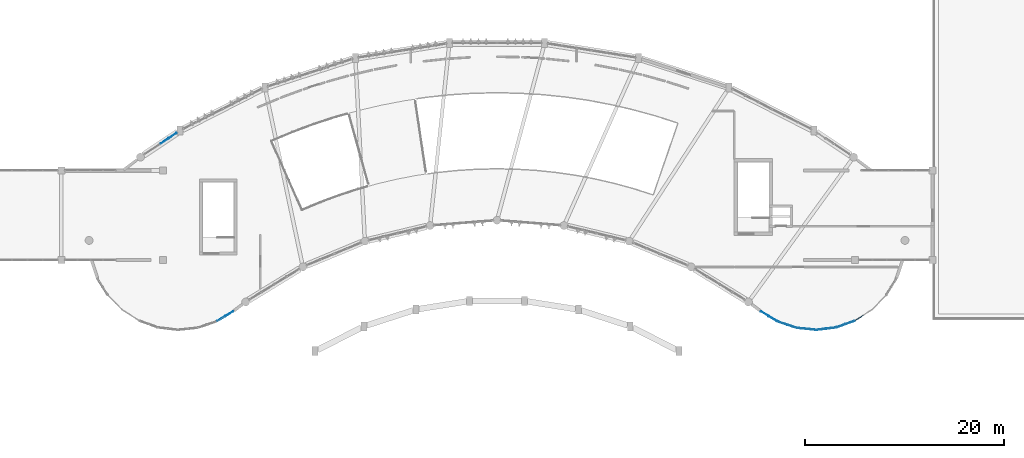
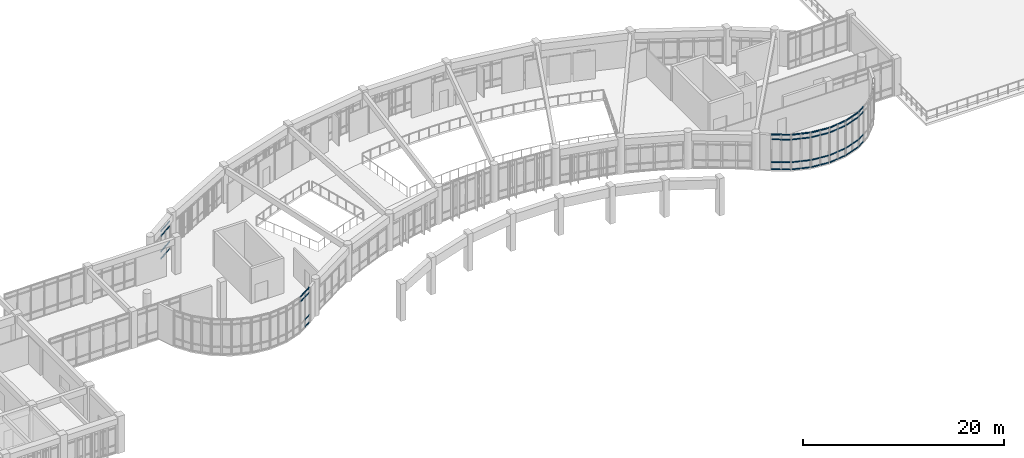
# One storey, part 29 of 54: 58 members, 8 elements without a shape of their own.
"""IFC4 building model written with IfcOpenShell, lengths in metres."""

from ifc_helpers import new_model, si_unit, direction, frame, origin, origin_2d, place, context, subcontext, project, spatial, rectangle, extrude, material, layer, layer_set, material_profile, profile_set, type_object, element, aggregate, save


model = new_model("IFC4")

# Units and contexts
model_context = context("Model", 3, precision=1e-05, world=origin(), true_north=direction((0.0, 1.0)))
body_context = subcontext(model_context, "Body", "Model", "MODEL_VIEW")
ifc_project = project(units=[si_unit("LENGTHUNIT", "METRE"), si_unit("AREAUNIT", "SQUARE_METRE"), si_unit("VOLUMEUNIT", "CUBIC_METRE"), si_unit("PLANEANGLEUNIT", "RADIAN"), si_unit("MASSUNIT", "GRAM", prefix="KILO")], contexts=[model_context])

# Site, building, storey
site_placement = place(None, origin())
site = spatial("IfcSite", under=ifc_project, at=site_placement, CompositionType="ELEMENT")
building_placement = place(site_placement, origin())
building = spatial("IfcBuilding", under=site, at=building_placement, Name="Miralva Faculty of Natural Sciences", CompositionType="ELEMENT")
storey_placement = place(building_placement, frame((0.0, 0.0, 19.5)))
storey = spatial("IfcBuildingStorey", under=building, at=storey_placement, Name="L04", CompositionType="ELEMENT", Elevation=19.5)

# Curtain wall, members
ifc_material_1 = material(Name="Laminated solar-control glass", Category="glass")
ifc_layer_1 = layer(ifc_material_1, 0.179931640625, Name="CW-ARC-L03")
ifc_layer_set_1 = layer_set([ifc_layer_1], Name="Laminated solar-control glass")
curtain_wall_type_1 = type_object("IfcCurtainWallType", Name="CW-ARC-L03", PredefinedType="USERDEFINED", material=ifc_layer_set_1)
curtain_wall_1_placement = place(storey_placement, origin())
curtain_wall_1 = element("IfcCurtainWall", 1, at=curtain_wall_1_placement, inside=storey, type_object=curtain_wall_type_1, Name="Curtain wall CW-03 L04-174", ObjectType="UNITISED CURTAIN WALL", PredefinedType="USERDEFINED")
ifc_material_2 = material(Name="Anodised aluminium", Category="aluminium")
ifc_material_profile = material_profile(ifc_material_2, rectangle(XDim=0.06005859375, YDim=0.1201171875, at=origin_2d()), Name="TRANSOM 60x120")
ifc_profile_set = profile_set([ifc_material_profile], Name="Anodised aluminium")
member_type = type_object("IfcMemberType", Name="CW-T02", PredefinedType="USERDEFINED", material=ifc_profile_set)
member_1_placement = place(storey_placement, frame((56.18603515625, 29.7138671875, 0.030029296875), z_axis=(0.831565381614, 0.555426877366, 0.0), x_axis=(-0.555426877366, 0.831565381614, 0.0)))
member_1 = element("IfcMember", 2, at=member_1_placement, type_object=member_type, Name="CW-03 transom 1.1", ObjectType="TRANSOM", PredefinedType="USERDEFINED", context=body_context, shape_type="SweptSolid", body=[
    extrude(rectangle(XDim=0.06005859375, YDim=0.1201171875, at=origin_2d()), origin(), (0.0, 0.0, 1.0), 0.93017578125),
])
member_2_placement = place(storey_placement, frame((56.18603515625, 29.7138671875, 0.89990234375), z_axis=(0.831565381614, 0.555426877366, 0.0), x_axis=(-0.555426877366, 0.831565381614, 0.0)))
member_2 = element("IfcMember", 3, at=member_2_placement, type_object=member_type, Name="CW-03 transom 1.2", ObjectType="TRANSOM", PredefinedType="USERDEFINED", context=body_context, shape_type="SweptSolid", body=[
    extrude(rectangle(XDim=0.06005859375, YDim=0.1201171875, at=origin_2d()), origin(), (0.0, 0.0, 1.0), 0.93017578125),
])
member_3_placement = place(storey_placement, frame((56.18603515625, 29.7138671875, 2.804931640625), z_axis=(0.831565381614, 0.555426877366, 0.0), x_axis=(-0.555426877366, 0.831565381614, 0.0)))
member_3 = element("IfcMember", 4, at=member_3_placement, type_object=member_type, Name="CW-03 transom 1.3", ObjectType="TRANSOM", PredefinedType="USERDEFINED", context=body_context, shape_type="SweptSolid", body=[
    extrude(rectangle(XDim=0.06005859375, YDim=0.1201171875, at=origin_2d()), origin(), (0.0, 0.0, 1.0), 0.93017578125),
])
member_4_placement = place(storey_placement, frame((56.18603515625, 29.7138671875, 3.375), z_axis=(0.831565381614, 0.555426877366, 0.0), x_axis=(-0.555426877366, 0.831565381614, 0.0)))
member_4 = element("IfcMember", 5, at=member_4_placement, type_object=member_type, Name="CW-03 transom 1.4", ObjectType="TRANSOM", PredefinedType="USERDEFINED", context=body_context, shape_type="SweptSolid", body=[
    extrude(rectangle(XDim=0.06005859375, YDim=0.1201171875, at=origin_2d()), origin(), (0.0, 0.0, 1.0), 0.93017578125),
])
member_5_placement = place(storey_placement, frame((57.013427734375, 30.2666015625, 0.030029296875), z_axis=(0.831484377474, 0.555548134744, 0.0), x_axis=(-0.555548134744, 0.831484377474, 0.0)))
member_5 = element("IfcMember", 6, at=member_5_placement, type_object=member_type, Name="CW-03 transom 2.1", ObjectType="TRANSOM", PredefinedType="USERDEFINED", context=body_context, shape_type="SweptSolid", body=[
    extrude(rectangle(XDim=0.06005859375, YDim=0.1201171875, at=origin_2d()), origin(), (0.0, 0.0, 1.0), 0.929931640625),
])
member_6_placement = place(storey_placement, frame((57.013427734375, 30.2666015625, 0.89990234375), z_axis=(0.831484377474, 0.555548134744, 0.0), x_axis=(-0.555548134744, 0.831484377474, 0.0)))
member_6 = element("IfcMember", 7, at=member_6_placement, type_object=member_type, Name="CW-03 transom 2.2", ObjectType="TRANSOM", PredefinedType="USERDEFINED", context=body_context, shape_type="SweptSolid", body=[
    extrude(rectangle(XDim=0.06005859375, YDim=0.1201171875, at=origin_2d()), origin(), (0.0, 0.0, 1.0), 0.929931640625),
])
member_7_placement = place(storey_placement, frame((57.013427734375, 30.2666015625, 2.804931640625), z_axis=(0.831484377474, 0.555548134744, 0.0), x_axis=(-0.555548134744, 0.831484377474, 0.0)))
member_7 = element("IfcMember", 8, at=member_7_placement, type_object=member_type, Name="CW-03 transom 2.3", ObjectType="TRANSOM", PredefinedType="USERDEFINED", context=body_context, shape_type="SweptSolid", body=[
    extrude(rectangle(XDim=0.06005859375, YDim=0.1201171875, at=origin_2d()), origin(), (0.0, 0.0, 1.0), 0.929931640625),
])
member_8_placement = place(storey_placement, frame((57.013427734375, 30.2666015625, 3.375), z_axis=(0.831484377474, 0.555548134744, 0.0), x_axis=(-0.555548134744, 0.831484377474, 0.0)))
member_8 = element("IfcMember", 9, at=member_8_placement, type_object=member_type, Name="CW-03 transom 2.4", ObjectType="TRANSOM", PredefinedType="USERDEFINED", context=body_context, shape_type="SweptSolid", body=[
    extrude(rectangle(XDim=0.06005859375, YDim=0.1201171875, at=origin_2d()), origin(), (0.0, 0.0, 1.0), 0.929931640625),
])
aggregate(curtain_wall_1, [member_1, member_2, member_3, member_4, member_5, member_6, member_7, member_8])

ifc_layer_2 = layer(ifc_material_1, 0.179931640625, Name="CW-RND-L03")
ifc_layer_set_2 = layer_set([ifc_layer_2], Name="Laminated solar-control glass")
curtain_wall_type_2 = type_object("IfcCurtainWallType", Name="CW-RND-L03", PredefinedType="USERDEFINED", material=ifc_layer_set_2)
curtain_wall_2_placement = place(storey_placement, origin())
curtain_wall_2 = element("IfcCurtainWall", 10, at=curtain_wall_2_placement, inside=storey, type_object=curtain_wall_type_2, Name="Curtain wall CW-06 L04-189", ObjectType="UNITISED CURTAIN WALL", PredefinedType="USERDEFINED")
member_9_placement = place(storey_placement, frame((61.864990234375, 11.86328125, 3.64990234375), z_axis=(0.852016327326, 0.52351521274, 0.0), x_axis=(-0.52351521274, 0.852016327326, 0.0)))
member_9 = element("IfcMember", 11, at=member_9_placement, type_object=member_type, Name="CW-06 transom 1.3", ObjectType="TRANSOM", PredefinedType="USERDEFINED", context=body_context, shape_type="SweptSolid", body=[
    extrude(rectangle(XDim=0.06005859375, YDim=0.1201171875, at=origin_2d()), origin(), (0.0, 0.0, 1.0), 0.91259765625),
])
member_10_placement = place(storey_placement, frame((61.864990234375, 11.86328125, 4.219970703125), z_axis=(0.852016327326, 0.52351521274, 0.0), x_axis=(-0.52351521274, 0.852016327326, 0.0)))
member_10 = element("IfcMember", 12, at=member_10_placement, type_object=member_type, Name="CW-06 transom 1.4", ObjectType="TRANSOM", PredefinedType="USERDEFINED", context=body_context, shape_type="SweptSolid", body=[
    extrude(rectangle(XDim=0.06005859375, YDim=0.1201171875, at=origin_2d()), origin(), (0.0, 0.0, 1.0), 0.91259765625),
])
member_11_placement = place(storey_placement, frame((62.697998046875, 12.375244140625, 0.030029296875), z_axis=(0.852016327326, 0.52351521274, 0.0), x_axis=(-0.52351521274, 0.852016327326, 0.0)))
member_11 = element("IfcMember", 13, at=member_11_placement, type_object=member_type, Name="CW-06 transom 2.1", ObjectType="TRANSOM", PredefinedType="USERDEFINED", context=body_context, shape_type="SweptSolid", body=[
    extrude(rectangle(XDim=0.06005859375, YDim=0.1201171875, at=origin_2d()), origin(), (0.0, 0.0, 1.0), 0.91259765625),
])
member_12_placement = place(storey_placement, frame((62.697998046875, 12.375244140625, 0.89990234375), z_axis=(0.852016327326, 0.52351521274, 0.0), x_axis=(-0.52351521274, 0.852016327326, 0.0)))
member_12 = element("IfcMember", 14, at=member_12_placement, type_object=member_type, Name="CW-06 transom 2.2", ObjectType="TRANSOM", PredefinedType="USERDEFINED", context=body_context, shape_type="SweptSolid", body=[
    extrude(rectangle(XDim=0.06005859375, YDim=0.1201171875, at=origin_2d()), origin(), (0.0, 0.0, 1.0), 0.91259765625),
])
member_13_placement = place(storey_placement, frame((62.697998046875, 12.375244140625, 3.64990234375), z_axis=(0.852016327326, 0.52351521274, 0.0), x_axis=(-0.52351521274, 0.852016327326, 0.0)))
member_13 = element("IfcMember", 15, at=member_13_placement, type_object=member_type, Name="CW-06 transom 2.3", ObjectType="TRANSOM", PredefinedType="USERDEFINED", context=body_context, shape_type="SweptSolid", body=[
    extrude(rectangle(XDim=0.06005859375, YDim=0.1201171875, at=origin_2d()), origin(), (0.0, 0.0, 1.0), 0.91259765625),
])
member_14_placement = place(storey_placement, frame((62.697998046875, 12.375244140625, 4.219970703125), z_axis=(0.852016327326, 0.52351521274, 0.0), x_axis=(-0.52351521274, 0.852016327326, 0.0)))
member_14 = element("IfcMember", 16, at=member_14_placement, type_object=member_type, Name="CW-06 transom 2.4", ObjectType="TRANSOM", PredefinedType="USERDEFINED", context=body_context, shape_type="SweptSolid", body=[
    extrude(rectangle(XDim=0.06005859375, YDim=0.1201171875, at=origin_2d()), origin(), (0.0, 0.0, 1.0), 0.91259765625),
])
aggregate(curtain_wall_2, [member_9, member_10, member_11, member_12, member_13, member_14])

curtain_wall_3_placement = place(storey_placement, origin())
curtain_wall_3 = element("IfcCurtainWall", 17, at=curtain_wall_3_placement, inside=storey, type_object=curtain_wall_type_2, Name="Curtain wall CW-06 L04-199", ObjectType="UNITISED CURTAIN WALL", PredefinedType="USERDEFINED")
member_15_placement = place(storey_placement, frame((126.0546875, 11.9423828125, 0.030029296875), z_axis=(0.841395718797, 0.540419507781, 0.0), x_axis=(-0.540419507781, 0.841395718797, 0.0)))
member_15 = element("IfcMember", 18, at=member_15_placement, type_object=member_type, Name="CW-06 transom 1.1", ObjectType="TRANSOM", PredefinedType="USERDEFINED", context=body_context, shape_type="SweptSolid", body=[
    extrude(rectangle(XDim=0.06005859375, YDim=0.1201171875, at=origin_2d()), origin(), (0.0, 0.0, 1.0), 0.91259765625),
])
member_16_placement = place(storey_placement, frame((126.0546875, 11.9423828125, 0.89990234375), z_axis=(0.841395718797, 0.540419507781, 0.0), x_axis=(-0.540419507781, 0.841395718797, 0.0)))
member_16 = element("IfcMember", 19, at=member_16_placement, type_object=member_type, Name="CW-06 transom 1.2", ObjectType="TRANSOM", PredefinedType="USERDEFINED", context=body_context, shape_type="SweptSolid", body=[
    extrude(rectangle(XDim=0.06005859375, YDim=0.1201171875, at=origin_2d()), origin(), (0.0, 0.0, 1.0), 0.91259765625),
])
member_17_placement = place(storey_placement, frame((126.0546875, 11.9423828125, 3.64990234375), z_axis=(0.841395718797, 0.540419507781, 0.0), x_axis=(-0.540419507781, 0.841395718797, 0.0)))
member_17 = element("IfcMember", 20, at=member_17_placement, type_object=member_type, Name="CW-06 transom 1.3", ObjectType="TRANSOM", PredefinedType="USERDEFINED", context=body_context, shape_type="SweptSolid", body=[
    extrude(rectangle(XDim=0.06005859375, YDim=0.1201171875, at=origin_2d()), origin(), (0.0, 0.0, 1.0), 0.91259765625),
])
member_18_placement = place(storey_placement, frame((126.0546875, 11.9423828125, 4.219970703125), z_axis=(0.841395718797, 0.540419507781, 0.0), x_axis=(-0.540419507781, 0.841395718797, 0.0)))
member_18 = element("IfcMember", 21, at=member_18_placement, type_object=member_type, Name="CW-06 transom 1.4", ObjectType="TRANSOM", PredefinedType="USERDEFINED", context=body_context, shape_type="SweptSolid", body=[
    extrude(rectangle(XDim=0.06005859375, YDim=0.1201171875, at=origin_2d()), origin(), (0.0, 0.0, 1.0), 0.91259765625),
])
aggregate(curtain_wall_3, [member_15, member_16, member_17, member_18])

curtain_wall_4_placement = place(storey_placement, origin())
curtain_wall_4 = element("IfcCurtainWall", 22, at=curtain_wall_4_placement, inside=storey, type_object=curtain_wall_type_2, Name="Curtain wall CW-06 L04-200", ObjectType="UNITISED CURTAIN WALL", PredefinedType="USERDEFINED")
member_19_placement = place(storey_placement, frame((124.16552734375, 11.24462890625, 0.030029296875), z_axis=(0.940525411881, 0.339723342744, 0.0), x_axis=(-0.339723342744, 0.940525411881, 0.0)))
member_19 = element("IfcMember", 23, at=member_19_placement, type_object=member_type, Name="CW-06 transom 1.1", ObjectType="TRANSOM", PredefinedType="USERDEFINED", context=body_context, shape_type="SweptSolid", body=[
    extrude(rectangle(XDim=0.06005859375, YDim=0.1201171875, at=origin_2d()), origin(), (0.0, 0.0, 1.0), 0.91259765625),
])
member_20_placement = place(storey_placement, frame((124.16552734375, 11.24462890625, 0.89990234375), z_axis=(0.940525411881, 0.339723342744, 0.0), x_axis=(-0.339723342744, 0.940525411881, 0.0)))
member_20 = element("IfcMember", 24, at=member_20_placement, type_object=member_type, Name="CW-06 transom 1.2", ObjectType="TRANSOM", PredefinedType="USERDEFINED", context=body_context, shape_type="SweptSolid", body=[
    extrude(rectangle(XDim=0.06005859375, YDim=0.1201171875, at=origin_2d()), origin(), (0.0, 0.0, 1.0), 0.91259765625),
])
member_21_placement = place(storey_placement, frame((124.16552734375, 11.24462890625, 3.64990234375), z_axis=(0.940525411881, 0.339723342744, 0.0), x_axis=(-0.339723342744, 0.940525411881, 0.0)))
member_21 = element("IfcMember", 25, at=member_21_placement, type_object=member_type, Name="CW-06 transom 1.3", ObjectType="TRANSOM", PredefinedType="USERDEFINED", context=body_context, shape_type="SweptSolid", body=[
    extrude(rectangle(XDim=0.06005859375, YDim=0.1201171875, at=origin_2d()), origin(), (0.0, 0.0, 1.0), 0.91259765625),
])
member_22_placement = place(storey_placement, frame((124.16552734375, 11.24462890625, 4.219970703125), z_axis=(0.940525411881, 0.339723342744, 0.0), x_axis=(-0.339723342744, 0.940525411881, 0.0)))
member_22 = element("IfcMember", 26, at=member_22_placement, type_object=member_type, Name="CW-06 transom 1.4", ObjectType="TRANSOM", PredefinedType="USERDEFINED", context=body_context, shape_type="SweptSolid", body=[
    extrude(rectangle(XDim=0.06005859375, YDim=0.1201171875, at=origin_2d()), origin(), (0.0, 0.0, 1.0), 0.91259765625),
])
member_23_placement = place(storey_placement, frame((125.085205078125, 11.576904296875, 0.030029296875), z_axis=(0.94061086064, 0.339486684344, 0.0), x_axis=(-0.339486684344, 0.94061086064, 0.0)))
member_23 = element("IfcMember", 27, at=member_23_placement, type_object=member_type, Name="CW-06 transom 2.1", ObjectType="TRANSOM", PredefinedType="USERDEFINED", context=body_context, shape_type="SweptSolid", body=[
    extrude(rectangle(XDim=0.06005859375, YDim=0.1201171875, at=origin_2d()), origin(), (0.0, 0.0, 1.0), 0.91259765625),
])
member_24_placement = place(storey_placement, frame((125.085205078125, 11.576904296875, 0.89990234375), z_axis=(0.94061086064, 0.339486684344, 0.0), x_axis=(-0.339486684344, 0.94061086064, 0.0)))
member_24 = element("IfcMember", 28, at=member_24_placement, type_object=member_type, Name="CW-06 transom 2.2", ObjectType="TRANSOM", PredefinedType="USERDEFINED", context=body_context, shape_type="SweptSolid", body=[
    extrude(rectangle(XDim=0.06005859375, YDim=0.1201171875, at=origin_2d()), origin(), (0.0, 0.0, 1.0), 0.91259765625),
])
member_25_placement = place(storey_placement, frame((125.085205078125, 11.576904296875, 3.64990234375), z_axis=(0.94061086064, 0.339486684344, 0.0), x_axis=(-0.339486684344, 0.94061086064, 0.0)))
member_25 = element("IfcMember", 29, at=member_25_placement, type_object=member_type, Name="CW-06 transom 2.3", ObjectType="TRANSOM", PredefinedType="USERDEFINED", context=body_context, shape_type="SweptSolid", body=[
    extrude(rectangle(XDim=0.06005859375, YDim=0.1201171875, at=origin_2d()), origin(), (0.0, 0.0, 1.0), 0.91259765625),
])
member_26_placement = place(storey_placement, frame((125.085205078125, 11.576904296875, 4.219970703125), z_axis=(0.94061086064, 0.339486684344, 0.0), x_axis=(-0.339486684344, 0.94061086064, 0.0)))
member_26 = element("IfcMember", 30, at=member_26_placement, type_object=member_type, Name="CW-06 transom 2.4", ObjectType="TRANSOM", PredefinedType="USERDEFINED", context=body_context, shape_type="SweptSolid", body=[
    extrude(rectangle(XDim=0.06005859375, YDim=0.1201171875, at=origin_2d()), origin(), (0.0, 0.0, 1.0), 0.91259765625),
])
aggregate(curtain_wall_4, [member_19, member_20, member_21, member_22, member_23, member_24, member_25, member_26])

curtain_wall_5_placement = place(storey_placement, origin())
curtain_wall_5 = element("IfcCurtainWall", 31, at=curtain_wall_5_placement, inside=storey, type_object=curtain_wall_type_2, Name="Curtain wall CW-06 L04-201", ObjectType="UNITISED CURTAIN WALL", PredefinedType="USERDEFINED")
member_27_placement = place(storey_placement, frame((122.168701171875, 10.98486328125, 0.030029296875), z_axis=(0.992534937681, 0.121960639068, 0.0), x_axis=(-0.121960639068, 0.992534937681, 0.0)))
member_27 = element("IfcMember", 32, at=member_27_placement, type_object=member_type, Name="CW-06 transom 1.1", ObjectType="TRANSOM", PredefinedType="USERDEFINED", context=body_context, shape_type="SweptSolid", body=[
    extrude(rectangle(XDim=0.06005859375, YDim=0.1201171875, at=origin_2d()), origin(), (0.0, 0.0, 1.0), 0.912841796875),
])
member_28_placement = place(storey_placement, frame((122.168701171875, 10.98486328125, 0.89990234375), z_axis=(0.992534937681, 0.121960639068, 0.0), x_axis=(-0.121960639068, 0.992534937681, 0.0)))
member_28 = element("IfcMember", 33, at=member_28_placement, type_object=member_type, Name="CW-06 transom 1.2", ObjectType="TRANSOM", PredefinedType="USERDEFINED", context=body_context, shape_type="SweptSolid", body=[
    extrude(rectangle(XDim=0.06005859375, YDim=0.1201171875, at=origin_2d()), origin(), (0.0, 0.0, 1.0), 0.912841796875),
])
member_29_placement = place(storey_placement, frame((122.168701171875, 10.98486328125, 3.64990234375), z_axis=(0.992534937681, 0.121960639068, 0.0), x_axis=(-0.121960639068, 0.992534937681, 0.0)))
member_29 = element("IfcMember", 34, at=member_29_placement, type_object=member_type, Name="CW-06 transom 1.3", ObjectType="TRANSOM", PredefinedType="USERDEFINED", context=body_context, shape_type="SweptSolid", body=[
    extrude(rectangle(XDim=0.06005859375, YDim=0.1201171875, at=origin_2d()), origin(), (0.0, 0.0, 1.0), 0.912841796875),
])
member_30_placement = place(storey_placement, frame((122.168701171875, 10.98486328125, 4.219970703125), z_axis=(0.992534937681, 0.121960639068, 0.0), x_axis=(-0.121960639068, 0.992534937681, 0.0)))
member_30 = element("IfcMember", 35, at=member_30_placement, type_object=member_type, Name="CW-06 transom 1.4", ObjectType="TRANSOM", PredefinedType="USERDEFINED", context=body_context, shape_type="SweptSolid", body=[
    extrude(rectangle(XDim=0.06005859375, YDim=0.1201171875, at=origin_2d()), origin(), (0.0, 0.0, 1.0), 0.912841796875),
])
member_31_placement = place(storey_placement, frame((123.13916015625, 11.10400390625, 0.030029296875), z_axis=(0.992530957827, 0.121993023388, 0.0), x_axis=(-0.121993023388, 0.992530957827, 0.0)))
member_31 = element("IfcMember", 36, at=member_31_placement, type_object=member_type, Name="CW-06 transom 2.1", ObjectType="TRANSOM", PredefinedType="USERDEFINED", context=body_context, shape_type="SweptSolid", body=[
    extrude(rectangle(XDim=0.06005859375, YDim=0.1201171875, at=origin_2d()), origin(), (0.0, 0.0, 1.0), 0.91259765625),
])
member_32_placement = place(storey_placement, frame((123.13916015625, 11.10400390625, 0.89990234375), z_axis=(0.992530957827, 0.121993023388, 0.0), x_axis=(-0.121993023388, 0.992530957827, 0.0)))
member_32 = element("IfcMember", 37, at=member_32_placement, type_object=member_type, Name="CW-06 transom 2.2", ObjectType="TRANSOM", PredefinedType="USERDEFINED", context=body_context, shape_type="SweptSolid", body=[
    extrude(rectangle(XDim=0.06005859375, YDim=0.1201171875, at=origin_2d()), origin(), (0.0, 0.0, 1.0), 0.91259765625),
])
member_33_placement = place(storey_placement, frame((123.13916015625, 11.10400390625, 3.64990234375), z_axis=(0.992530957827, 0.121993023388, 0.0), x_axis=(-0.121993023388, 0.992530957827, 0.0)))
member_33 = element("IfcMember", 38, at=member_33_placement, type_object=member_type, Name="CW-06 transom 2.3", ObjectType="TRANSOM", PredefinedType="USERDEFINED", context=body_context, shape_type="SweptSolid", body=[
    extrude(rectangle(XDim=0.06005859375, YDim=0.1201171875, at=origin_2d()), origin(), (0.0, 0.0, 1.0), 0.91259765625),
])
member_34_placement = place(storey_placement, frame((123.13916015625, 11.10400390625, 4.219970703125), z_axis=(0.992530957827, 0.121993023388, 0.0), x_axis=(-0.121993023388, 0.992530957827, 0.0)))
member_34 = element("IfcMember", 39, at=member_34_placement, type_object=member_type, Name="CW-06 transom 2.4", ObjectType="TRANSOM", PredefinedType="USERDEFINED", context=body_context, shape_type="SweptSolid", body=[
    extrude(rectangle(XDim=0.06005859375, YDim=0.1201171875, at=origin_2d()), origin(), (0.0, 0.0, 1.0), 0.91259765625),
])
aggregate(curtain_wall_5, [member_27, member_28, member_29, member_30, member_31, member_32, member_33, member_34])

curtain_wall_6_placement = place(storey_placement, origin())
curtain_wall_6 = element("IfcCurtainWall", 40, at=curtain_wall_6_placement, inside=storey, type_object=curtain_wall_type_2, Name="Curtain wall CW-06 L04-202", ObjectType="UNITISED CURTAIN WALL", PredefinedType="USERDEFINED")
member_35_placement = place(storey_placement, frame((120.1640625, 11.176025390625, 0.030029296875), z_axis=(0.994793266196, -0.101913480619, 0.0), x_axis=(0.101913480619, 0.994793266196, 0.0)))
member_35 = element("IfcMember", 41, at=member_35_placement, type_object=member_type, Name="CW-06 transom 1.1", ObjectType="TRANSOM", PredefinedType="USERDEFINED", context=body_context, shape_type="SweptSolid", body=[
    extrude(rectangle(XDim=0.06005859375, YDim=0.1201171875, at=origin_2d()), origin(), (0.0, 0.0, 1.0), 0.91259765625),
])
member_36_placement = place(storey_placement, frame((120.1640625, 11.176025390625, 0.89990234375), z_axis=(0.994793266196, -0.101913480619, 0.0), x_axis=(0.101913480619, 0.994793266196, 0.0)))
member_36 = element("IfcMember", 42, at=member_36_placement, type_object=member_type, Name="CW-06 transom 1.2", ObjectType="TRANSOM", PredefinedType="USERDEFINED", context=body_context, shape_type="SweptSolid", body=[
    extrude(rectangle(XDim=0.06005859375, YDim=0.1201171875, at=origin_2d()), origin(), (0.0, 0.0, 1.0), 0.91259765625),
])
member_37_placement = place(storey_placement, frame((120.1640625, 11.176025390625, 3.64990234375), z_axis=(0.994793266196, -0.101913480619, 0.0), x_axis=(0.101913480619, 0.994793266196, 0.0)))
member_37 = element("IfcMember", 43, at=member_37_placement, type_object=member_type, Name="CW-06 transom 1.3", ObjectType="TRANSOM", PredefinedType="USERDEFINED", context=body_context, shape_type="SweptSolid", body=[
    extrude(rectangle(XDim=0.06005859375, YDim=0.1201171875, at=origin_2d()), origin(), (0.0, 0.0, 1.0), 0.91259765625),
])
member_38_placement = place(storey_placement, frame((120.1640625, 11.176025390625, 4.219970703125), z_axis=(0.994793266196, -0.101913480619, 0.0), x_axis=(0.101913480619, 0.994793266196, 0.0)))
member_38 = element("IfcMember", 44, at=member_38_placement, type_object=member_type, Name="CW-06 transom 1.4", ObjectType="TRANSOM", PredefinedType="USERDEFINED", context=body_context, shape_type="SweptSolid", body=[
    extrude(rectangle(XDim=0.06005859375, YDim=0.1201171875, at=origin_2d()), origin(), (0.0, 0.0, 1.0), 0.91259765625),
])
member_39_placement = place(storey_placement, frame((121.136474609375, 11.076171875, 0.030029296875), z_axis=(0.994793266196, -0.101913480619, 0.0), x_axis=(0.101913480619, 0.994793266196, 0.0)))
member_39 = element("IfcMember", 45, at=member_39_placement, type_object=member_type, Name="CW-06 transom 2.1", ObjectType="TRANSOM", PredefinedType="USERDEFINED", context=body_context, shape_type="SweptSolid", body=[
    extrude(rectangle(XDim=0.06005859375, YDim=0.1201171875, at=origin_2d()), origin(), (0.0, 0.0, 1.0), 0.91259765625),
])
member_40_placement = place(storey_placement, frame((121.136474609375, 11.076171875, 0.89990234375), z_axis=(0.994793266196, -0.101913480619, 0.0), x_axis=(0.101913480619, 0.994793266196, 0.0)))
member_40 = element("IfcMember", 46, at=member_40_placement, type_object=member_type, Name="CW-06 transom 2.2", ObjectType="TRANSOM", PredefinedType="USERDEFINED", context=body_context, shape_type="SweptSolid", body=[
    extrude(rectangle(XDim=0.06005859375, YDim=0.1201171875, at=origin_2d()), origin(), (0.0, 0.0, 1.0), 0.91259765625),
])
member_41_placement = place(storey_placement, frame((121.136474609375, 11.076171875, 3.64990234375), z_axis=(0.994793266196, -0.101913480619, 0.0), x_axis=(0.101913480619, 0.994793266196, 0.0)))
member_41 = element("IfcMember", 47, at=member_41_placement, type_object=member_type, Name="CW-06 transom 2.3", ObjectType="TRANSOM", PredefinedType="USERDEFINED", context=body_context, shape_type="SweptSolid", body=[
    extrude(rectangle(XDim=0.06005859375, YDim=0.1201171875, at=origin_2d()), origin(), (0.0, 0.0, 1.0), 0.91259765625),
])
member_42_placement = place(storey_placement, frame((121.136474609375, 11.076171875, 4.219970703125), z_axis=(0.994793266196, -0.101913480619, 0.0), x_axis=(0.101913480619, 0.994793266196, 0.0)))
member_42 = element("IfcMember", 48, at=member_42_placement, type_object=member_type, Name="CW-06 transom 2.4", ObjectType="TRANSOM", PredefinedType="USERDEFINED", context=body_context, shape_type="SweptSolid", body=[
    extrude(rectangle(XDim=0.06005859375, YDim=0.1201171875, at=origin_2d()), origin(), (0.0, 0.0, 1.0), 0.91259765625),
])
aggregate(curtain_wall_6, [member_35, member_36, member_37, member_38, member_39, member_40, member_41, member_42])

curtain_wall_7_placement = place(storey_placement, origin())
curtain_wall_7 = element("IfcCurtainWall", 49, at=curtain_wall_7_placement, inside=storey, type_object=curtain_wall_type_2, Name="Curtain wall CW-06 L04-203", ObjectType="UNITISED CURTAIN WALL", PredefinedType="USERDEFINED")
member_43_placement = place(storey_placement, frame((118.251953125, 11.808349609375, 0.030029296875), z_axis=(0.947174722358, -0.32071801528, 0.0), x_axis=(0.32071801528, 0.947174722358, 0.0)))
member_43 = element("IfcMember", 50, at=member_43_placement, type_object=member_type, Name="CW-06 transom 1.1", ObjectType="TRANSOM", PredefinedType="USERDEFINED", context=body_context, shape_type="SweptSolid", body=[
    extrude(rectangle(XDim=0.06005859375, YDim=0.1201171875, at=origin_2d()), origin(), (0.0, 0.0, 1.0), 0.91259765625),
])
member_44_placement = place(storey_placement, frame((118.251953125, 11.808349609375, 0.89990234375), z_axis=(0.947174722358, -0.32071801528, 0.0), x_axis=(0.32071801528, 0.947174722358, 0.0)))
member_44 = element("IfcMember", 51, at=member_44_placement, type_object=member_type, Name="CW-06 transom 1.2", ObjectType="TRANSOM", PredefinedType="USERDEFINED", context=body_context, shape_type="SweptSolid", body=[
    extrude(rectangle(XDim=0.06005859375, YDim=0.1201171875, at=origin_2d()), origin(), (0.0, 0.0, 1.0), 0.91259765625),
])
member_45_placement = place(storey_placement, frame((118.251953125, 11.808349609375, 3.64990234375), z_axis=(0.947174722358, -0.32071801528, 0.0), x_axis=(0.32071801528, 0.947174722358, 0.0)))
member_45 = element("IfcMember", 52, at=member_45_placement, type_object=member_type, Name="CW-06 transom 1.3", ObjectType="TRANSOM", PredefinedType="USERDEFINED", context=body_context, shape_type="SweptSolid", body=[
    extrude(rectangle(XDim=0.06005859375, YDim=0.1201171875, at=origin_2d()), origin(), (0.0, 0.0, 1.0), 0.91259765625),
])
member_46_placement = place(storey_placement, frame((118.251953125, 11.808349609375, 4.219970703125), z_axis=(0.947174722358, -0.32071801528, 0.0), x_axis=(0.32071801528, 0.947174722358, 0.0)))
member_46 = element("IfcMember", 53, at=member_46_placement, type_object=member_type, Name="CW-06 transom 1.4", ObjectType="TRANSOM", PredefinedType="USERDEFINED", context=body_context, shape_type="SweptSolid", body=[
    extrude(rectangle(XDim=0.06005859375, YDim=0.1201171875, at=origin_2d()), origin(), (0.0, 0.0, 1.0), 0.91259765625),
])
member_47_placement = place(storey_placement, frame((119.177978515625, 11.494873046875, 0.030029296875), z_axis=(0.947093442527, -0.320957958496, 0.0), x_axis=(0.320957958496, 0.947093442527, 0.0)))
member_47 = element("IfcMember", 54, at=member_47_placement, type_object=member_type, Name="CW-06 transom 2.1", ObjectType="TRANSOM", PredefinedType="USERDEFINED", context=body_context, shape_type="SweptSolid", body=[
    extrude(rectangle(XDim=0.06005859375, YDim=0.1201171875, at=origin_2d()), origin(), (0.0, 0.0, 1.0), 0.912841796875),
])
member_48_placement = place(storey_placement, frame((119.177978515625, 11.494873046875, 0.89990234375), z_axis=(0.947093442527, -0.320957958496, 0.0), x_axis=(0.320957958496, 0.947093442527, 0.0)))
member_48 = element("IfcMember", 55, at=member_48_placement, type_object=member_type, Name="CW-06 transom 2.2", ObjectType="TRANSOM", PredefinedType="USERDEFINED", context=body_context, shape_type="SweptSolid", body=[
    extrude(rectangle(XDim=0.06005859375, YDim=0.1201171875, at=origin_2d()), origin(), (0.0, 0.0, 1.0), 0.912841796875),
])
member_49_placement = place(storey_placement, frame((119.177978515625, 11.494873046875, 3.64990234375), z_axis=(0.947093442527, -0.320957958496, 0.0), x_axis=(0.320957958496, 0.947093442527, 0.0)))
member_49 = element("IfcMember", 56, at=member_49_placement, type_object=member_type, Name="CW-06 transom 2.3", ObjectType="TRANSOM", PredefinedType="USERDEFINED", context=body_context, shape_type="SweptSolid", body=[
    extrude(rectangle(XDim=0.06005859375, YDim=0.1201171875, at=origin_2d()), origin(), (0.0, 0.0, 1.0), 0.912841796875),
])
member_50_placement = place(storey_placement, frame((119.177978515625, 11.494873046875, 4.219970703125), z_axis=(0.947093442527, -0.320957958496, 0.0), x_axis=(0.320957958496, 0.947093442527, 0.0)))
member_50 = element("IfcMember", 57, at=member_50_placement, type_object=member_type, Name="CW-06 transom 2.4", ObjectType="TRANSOM", PredefinedType="USERDEFINED", context=body_context, shape_type="SweptSolid", body=[
    extrude(rectangle(XDim=0.06005859375, YDim=0.1201171875, at=origin_2d()), origin(), (0.0, 0.0, 1.0), 0.912841796875),
])
aggregate(curtain_wall_7, [member_43, member_44, member_45, member_46, member_47, member_48, member_49, member_50])

curtain_wall_8_placement = place(storey_placement, origin())
curtain_wall_8 = element("IfcCurtainWall", 58, at=curtain_wall_8_placement, inside=storey, type_object=curtain_wall_type_2, Name="Curtain wall CW-06 L04-204", ObjectType="UNITISED CURTAIN WALL", PredefinedType="USERDEFINED")
member_51_placement = place(storey_placement, frame((116.5244140625, 12.85302734375, 0.030029296875), z_axis=(0.852079385705, -0.523412571933, 0.0), x_axis=(0.523412571933, 0.852079385705, 0.0)))
member_51 = element("IfcMember", 59, at=member_51_placement, type_object=member_type, Name="CW-06 transom 1.1", ObjectType="TRANSOM", PredefinedType="USERDEFINED", context=body_context, shape_type="SweptSolid", body=[
    extrude(rectangle(XDim=0.06005859375, YDim=0.1201171875, at=origin_2d()), origin(), (0.0, 0.0, 1.0), 0.9150390625),
])
member_52_placement = place(storey_placement, frame((116.5244140625, 12.85302734375, 0.89990234375), z_axis=(0.852079385705, -0.523412571933, 0.0), x_axis=(0.523412571933, 0.852079385705, 0.0)))
member_52 = element("IfcMember", 60, at=member_52_placement, type_object=member_type, Name="CW-06 transom 1.2", ObjectType="TRANSOM", PredefinedType="USERDEFINED", context=body_context, shape_type="SweptSolid", body=[
    extrude(rectangle(XDim=0.06005859375, YDim=0.1201171875, at=origin_2d()), origin(), (0.0, 0.0, 1.0), 0.9150390625),
])
member_53_placement = place(storey_placement, frame((116.5244140625, 12.85302734375, 3.64990234375), z_axis=(0.852079385705, -0.523412571933, 0.0), x_axis=(0.523412571933, 0.852079385705, 0.0)))
member_53 = element("IfcMember", 61, at=member_53_placement, type_object=member_type, Name="CW-06 transom 1.3", ObjectType="TRANSOM", PredefinedType="USERDEFINED", context=body_context, shape_type="SweptSolid", body=[
    extrude(rectangle(XDim=0.06005859375, YDim=0.1201171875, at=origin_2d()), origin(), (0.0, 0.0, 1.0), 0.9150390625),
])
member_54_placement = place(storey_placement, frame((116.5244140625, 12.85302734375, 4.219970703125), z_axis=(0.852079385705, -0.523412571933, 0.0), x_axis=(0.523412571933, 0.852079385705, 0.0)))
member_54 = element("IfcMember", 62, at=member_54_placement, type_object=member_type, Name="CW-06 transom 1.4", ObjectType="TRANSOM", PredefinedType="USERDEFINED", context=body_context, shape_type="SweptSolid", body=[
    extrude(rectangle(XDim=0.06005859375, YDim=0.1201171875, at=origin_2d()), origin(), (0.0, 0.0, 1.0), 0.9150390625),
])
member_55_placement = place(storey_placement, frame((117.359619140625, 12.33984375, 0.030029296875), z_axis=(0.852079385705, -0.523412571933, 0.0), x_axis=(0.523412571933, 0.852079385705, 0.0)))
member_55 = element("IfcMember", 63, at=member_55_placement, type_object=member_type, Name="CW-06 transom 2.1", ObjectType="TRANSOM", PredefinedType="USERDEFINED", context=body_context, shape_type="SweptSolid", body=[
    extrude(rectangle(XDim=0.06005859375, YDim=0.1201171875, at=origin_2d()), origin(), (0.0, 0.0, 1.0), 0.9150390625),
])
member_56_placement = place(storey_placement, frame((117.359619140625, 12.33984375, 0.89990234375), z_axis=(0.852079385705, -0.523412571933, 0.0), x_axis=(0.523412571933, 0.852079385705, 0.0)))
member_56 = element("IfcMember", 64, at=member_56_placement, type_object=member_type, Name="CW-06 transom 2.2", ObjectType="TRANSOM", PredefinedType="USERDEFINED", context=body_context, shape_type="SweptSolid", body=[
    extrude(rectangle(XDim=0.06005859375, YDim=0.1201171875, at=origin_2d()), origin(), (0.0, 0.0, 1.0), 0.9150390625),
])
member_57_placement = place(storey_placement, frame((117.359619140625, 12.33984375, 3.64990234375), z_axis=(0.852079385705, -0.523412571933, 0.0), x_axis=(0.523412571933, 0.852079385705, 0.0)))
member_57 = element("IfcMember", 65, at=member_57_placement, type_object=member_type, Name="CW-06 transom 2.3", ObjectType="TRANSOM", PredefinedType="USERDEFINED", context=body_context, shape_type="SweptSolid", body=[
    extrude(rectangle(XDim=0.06005859375, YDim=0.1201171875, at=origin_2d()), origin(), (0.0, 0.0, 1.0), 0.9150390625),
])
member_58_placement = place(storey_placement, frame((117.359619140625, 12.33984375, 4.219970703125), z_axis=(0.852079385705, -0.523412571933, 0.0), x_axis=(0.523412571933, 0.852079385705, 0.0)))
member_58 = element("IfcMember", 66, at=member_58_placement, type_object=member_type, Name="CW-06 transom 2.4", ObjectType="TRANSOM", PredefinedType="USERDEFINED", context=body_context, shape_type="SweptSolid", body=[
    extrude(rectangle(XDim=0.06005859375, YDim=0.1201171875, at=origin_2d()), origin(), (0.0, 0.0, 1.0), 0.9150390625),
])
aggregate(curtain_wall_8, [member_51, member_52, member_53, member_54, member_55, member_56, member_57, member_58])

save(model, "model.ifc")
